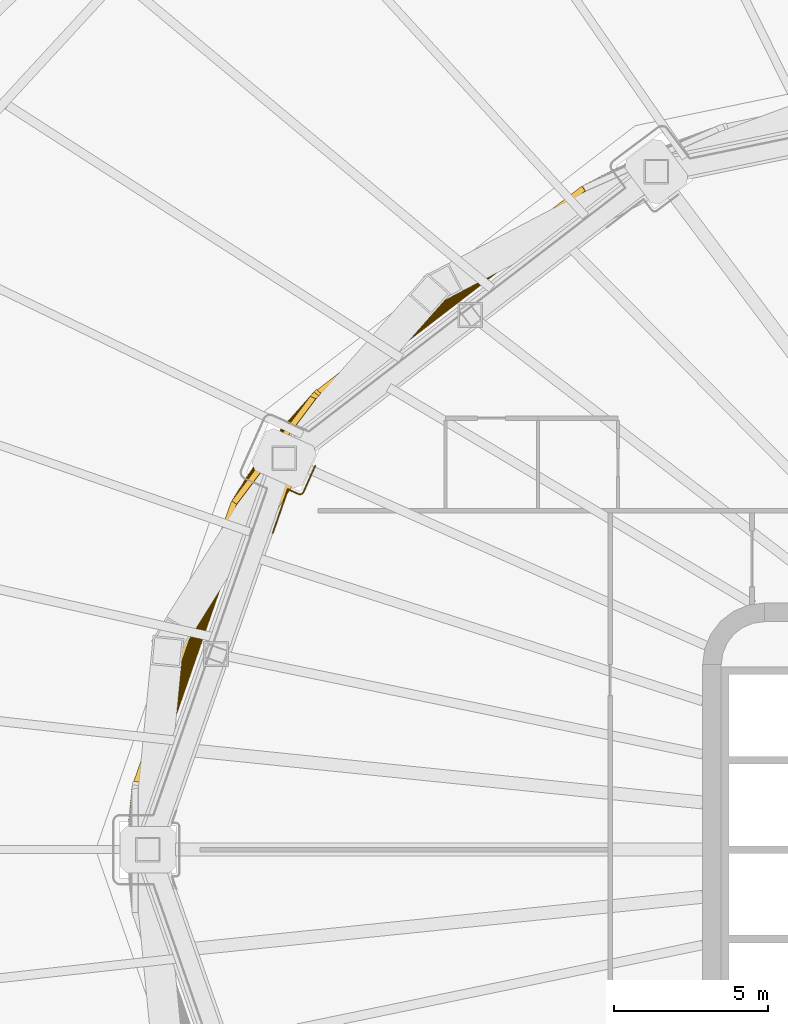
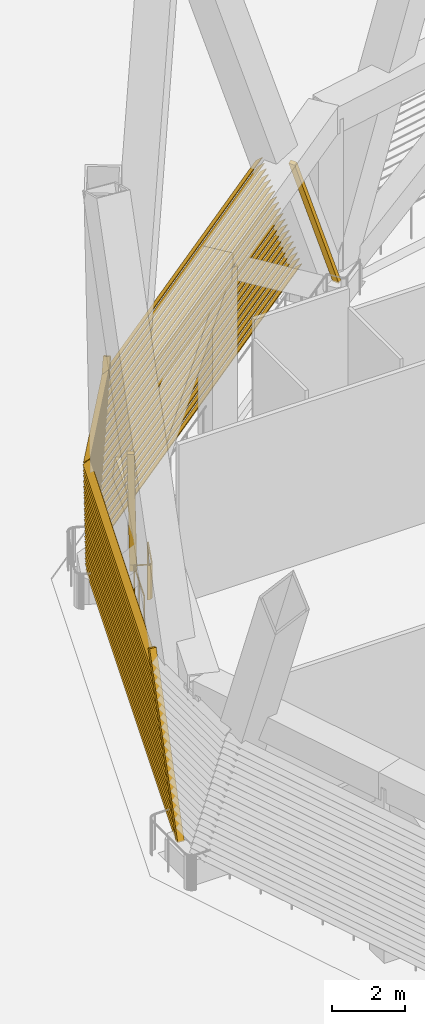
# One storey, part 19 of 27: 3 shading devices, 1 railing.
"""IFC4 building model written with IfcOpenShell, lengths in metres."""

from ifc_helpers import new_model, si_unit, direction, frame, origin, origin_2d, place, context, subcontext, project, spatial, rectangle, circle, extrude, material, type_object, element, save


model = new_model("IFC4")

# Units and contexts
model_context = context("Model", 3, precision=1e-05, world=origin(), true_north=direction((0.0, 1.0)))
body_context = subcontext(model_context, "Body", "Model", "MODEL_VIEW")
ifc_project = project(units=[si_unit("LENGTHUNIT", "METRE"), si_unit("AREAUNIT", "SQUARE_METRE"), si_unit("VOLUMEUNIT", "CUBIC_METRE"), si_unit("PLANEANGLEUNIT", "RADIAN"), si_unit("MASSUNIT", "GRAM", prefix="KILO")], contexts=[model_context])

# Site, building, storey
site_placement = place(None, origin())
site = spatial("IfcSite", under=ifc_project, at=site_placement, CompositionType="ELEMENT")
building_placement = place(site_placement, origin())
building = spatial("IfcBuilding", under=site, at=building_placement, Name="Sahrelin Media Tower", CompositionType="ELEMENT")
storey_placement = place(building_placement, frame((0.0, 0.0, 44.0)))
storey = spatial("IfcBuildingStorey", under=building, at=storey_placement, Name="L06", CompositionType="ELEMENT", Elevation=44.0)

# Railing
ifc_material_1 = material(Name="Stainless steel 316", Category="steel")
railing_type = type_object("IfcRailingType", Name="Maintenance platform guard", PredefinedType="GUARDRAIL", material=ifc_material_1)
railing_placement = place(storey_placement, frame((-28.9462890625, 10.275634765625, 0.0)))
element("IfcRailing", 1, at=railing_placement, inside=storey, type_object=railing_type, Name="Plant level edge guard 6", PredefinedType="GUARDRAIL", context=body_context, shape_type="SweptSolid", body=[
    extrude(circle(Radius=0.02392578125, at=origin_2d()), frame((0.0, 0.0, 1.17578125), z_axis=(0.328798392756, 0.944400136024, 0.0), x_axis=(-0.944400136024, 0.328798392756, 0.0)), (0.0, 0.0, 1.0), 1.5),
    extrude(circle(Radius=0.02392578125, at=origin_2d()), frame((0.4931640625, 1.41650390625, 1.17578125), z_axis=(0.913891374695, -0.405958809805, 0.0), x_axis=(0.405958809805, 0.913891374695, 0.0)), (0.0, 0.0, 1.0), 0.378173828125),
    extrude(circle(Radius=0.02392578125, at=origin_2d()), frame((0.8388671875, 1.262939453125, 1.17578125), z_axis=(0.934997526318, -0.354654234121, 0.0), x_axis=(0.354654234121, 0.934997526318, 0.0)), (0.0, 0.0, 1.0), 0.007568359375),
    extrude(circle(Radius=0.02392578125, at=origin_2d()), frame((0.845947265625, 1.26025390625, 1.17578125), z_axis=(0.950605456491, -0.310401781711, 0.0), x_axis=(0.310401781711, 0.950605456491, 0.0)), (0.0, 0.0, 1.0), 0.0126953125),
    extrude(circle(Radius=0.02392578125, at=origin_2d()), frame((0.85791015625, 1.25634765625, 1.17578125), z_axis=(0.987440631917, -0.157990501107, 0.0), x_axis=(0.157990501107, 0.987440631917, 0.0)), (0.0, 0.0, 1.0), 0.012451171875),
    extrude(circle(Radius=0.02392578125, at=origin_2d()), frame((0.8701171875, 1.25439453125, 1.17578125), z_axis=(0.99522852512, -0.097571424031, 0.0), x_axis=(0.097571424031, 0.99522852512, 0.0)), (0.0, 0.0, 1.0), 0.012451171875),
    extrude(circle(Radius=0.02392578125, at=origin_2d()), frame((0.882568359375, 1.253173828125, 1.17578125), z_axis=(0.998052578483, 0.062378286155, 0.0), x_axis=(-0.062378286155, 0.998052578483, 0.0)), (0.0, 0.0, 1.0), 0.01171875),
    extrude(circle(Radius=0.02392578125, at=origin_2d()), frame((0.894287109375, 1.25390625, 1.17578125), z_axis=(0.99503719021, 0.099503719021, 0.0), x_axis=(-0.099503719021, 0.99503719021, 0.0)), (0.0, 0.0, 1.0), 0.01220703125),
    extrude(circle(Radius=0.02392578125, at=origin_2d()), frame((0.906494140625, 1.255126953125, 1.17578125), z_axis=(0.971297311632, 0.237868729379, 0.0), x_axis=(-0.237868729379, 0.971297311632, 0.0)), (0.0, 0.0, 1.0), 0.01220703125),
    extrude(circle(Radius=0.02392578125, at=origin_2d()), frame((0.91845703125, 1.258056640625, 1.17578125), z_axis=(0.948683298051, 0.316227766017, 0.0), x_axis=(-0.316227766017, 0.948683298051, 0.0)), (0.0, 0.0, 1.0), 0.010009765625),
    extrude(circle(Radius=0.02392578125, at=origin_2d()), frame((0.927978515625, 1.26123046875, 1.17578125), z_axis=(0.919145030018, 0.393919298579, 0.0), x_axis=(-0.393919298579, 0.919145030018, 0.0)), (0.0, 0.0, 1.0), 0.01123046875),
    extrude(circle(Radius=0.02392578125, at=origin_2d()), frame((0.938232421875, 1.265625, 1.17578125), z_axis=(0.875034042418, 0.484061385167, 0.0), x_axis=(-0.484061385167, 0.875034042418, 0.0)), (0.0, 0.0, 1.0), 0.01318359375),
    extrude(circle(Radius=0.02392578125, at=origin_2d()), frame((0.94970703125, 1.27197265625, 1.17578125), z_axis=(0.815180408266, 0.579207132189, 0.0), x_axis=(-0.579207132189, 0.815180408266, 0.0)), (0.0, 0.0, 1.0), 0.011474609375),
    extrude(circle(Radius=0.02392578125, at=origin_2d()), frame((0.958984375, 1.278564453125, 1.17578125), z_axis=(0.77137327854, 0.636382954796, 0.0), x_axis=(-0.636382954796, 0.77137327854, 0.0)), (0.0, 0.0, 1.0), 0.0126953125),
    extrude(circle(Radius=0.02392578125, at=origin_2d()), frame((0.96875, 1.28662109375, 1.17578125), z_axis=(0.658504607869, 0.752576694707, 0.0), x_axis=(-0.752576694707, 0.658504607869, 0.0)), (0.0, 0.0, 1.0), 0.012939453125),
    extrude(circle(Radius=0.02392578125, at=origin_2d()), frame((0.977294921875, 1.29638671875, 1.17578125), z_axis=(0.621394711002, 0.78349767909, 0.0), x_axis=(-0.78349767909, 0.621394711002, 0.0)), (0.0, 0.0, 1.0), 0.009033203125),
    extrude(circle(Radius=0.02392578125, at=origin_2d()), frame((0.98291015625, 1.303466796875, 1.17578125), z_axis=(0.53966611472, 0.841879138964, 0.0), x_axis=(-0.841879138964, 0.53966611472, 0.0)), (0.0, 0.0, 1.0), 0.01123046875),
    extrude(circle(Radius=0.02392578125, at=origin_2d()), frame((0.989013671875, 1.31298828125, 1.17578125), z_axis=(0.466758619558, 0.884384752847, 0.0), x_axis=(-0.884384752847, 0.466758619558, 0.0)), (0.0, 0.0, 1.0), 0.010009765625),
    extrude(circle(Radius=0.02392578125, at=origin_2d()), frame((0.99365234375, 1.32177734375, 1.17578125), z_axis=(0.406283261409, 0.91374718139, 0.0), x_axis=(-0.91374718139, 0.406283261409, 0.0)), (0.0, 0.0, 1.0), 0.938720703125),
    extrude(circle(Radius=0.02099609375, at=origin_2d()), origin(), (0.0, 0.0, 1.0), 1.15185546875),
    extrude(circle(Radius=0.02099609375, at=origin_2d()), frame((0.24658203125, 0.708251953125, 0.0)), (0.0, 0.0, 1.0), 1.15185546875),
    extrude(circle(Radius=0.02099609375, at=origin_2d()), frame((0.4931640625, 1.41650390625, 0.0)), (0.0, 0.0, 1.0), 1.15185546875),
    extrude(circle(Radius=0.02099609375, at=origin_2d()), frame((0.8388671875, 1.262939453125, 0.0)), (0.0, 0.0, 1.0), 1.15185546875),
    extrude(circle(Radius=0.02099609375, at=origin_2d()), frame((0.845947265625, 1.26025390625, 0.0)), (0.0, 0.0, 1.0), 1.15185546875),
    extrude(circle(Radius=0.02099609375, at=origin_2d()), frame((0.85791015625, 1.25634765625, 0.0)), (0.0, 0.0, 1.0), 1.15185546875),
    extrude(circle(Radius=0.02099609375, at=origin_2d()), frame((0.8701171875, 1.25439453125, 0.0)), (0.0, 0.0, 1.0), 1.15185546875),
    extrude(circle(Radius=0.02099609375, at=origin_2d()), frame((0.882568359375, 1.253173828125, 0.0)), (0.0, 0.0, 1.0), 1.15185546875),
    extrude(circle(Radius=0.02099609375, at=origin_2d()), frame((0.894287109375, 1.25390625, 0.0)), (0.0, 0.0, 1.0), 1.15185546875),
    extrude(circle(Radius=0.02099609375, at=origin_2d()), frame((0.906494140625, 1.255126953125, 0.0)), (0.0, 0.0, 1.0), 1.15185546875),
    extrude(circle(Radius=0.02099609375, at=origin_2d()), frame((0.91845703125, 1.258056640625, 0.0)), (0.0, 0.0, 1.0), 1.15185546875),
    extrude(circle(Radius=0.02099609375, at=origin_2d()), frame((0.927978515625, 1.26123046875, 0.0)), (0.0, 0.0, 1.0), 1.15185546875),
    extrude(circle(Radius=0.02099609375, at=origin_2d()), frame((0.938232421875, 1.265625, 0.0)), (0.0, 0.0, 1.0), 1.15185546875),
    extrude(circle(Radius=0.02099609375, at=origin_2d()), frame((0.94970703125, 1.27197265625, 0.0)), (0.0, 0.0, 1.0), 1.15185546875),
    extrude(circle(Radius=0.02099609375, at=origin_2d()), frame((0.958984375, 1.278564453125, 0.0)), (0.0, 0.0, 1.0), 1.15185546875),
    extrude(circle(Radius=0.02099609375, at=origin_2d()), frame((0.96875, 1.28662109375, 0.0)), (0.0, 0.0, 1.0), 1.15185546875),
    extrude(circle(Radius=0.02099609375, at=origin_2d()), frame((0.977294921875, 1.29638671875, 0.0)), (0.0, 0.0, 1.0), 1.15185546875),
    extrude(circle(Radius=0.02099609375, at=origin_2d()), frame((0.98291015625, 1.303466796875, 0.0)), (0.0, 0.0, 1.0), 1.15185546875),
    extrude(circle(Radius=0.02099609375, at=origin_2d()), frame((0.989013671875, 1.31298828125, 0.0)), (0.0, 0.0, 1.0), 1.15185546875),
    extrude(circle(Radius=0.02099609375, at=origin_2d()), frame((0.99365234375, 1.32177734375, 0.0)), (0.0, 0.0, 1.0), 1.15185546875),
    extrude(circle(Radius=0.02099609375, at=origin_2d()), frame((1.375, 2.179443359375, 0.0)), (0.0, 0.0, 1.0), 1.15185546875),
])

# Shading devices
ifc_material_2 = material(Name="Champagne anodised aluminium 6063-T6", Category="aluminium")
shading_device_type = type_object("IfcShadingDeviceType", Name="Sand-rejection louvre band", PredefinedType="USERDEFINED", material=ifc_material_2)
shading_device_1_placement = place(storey_placement, frame((-22.594482421875, 17.30615234375, 0.0), z_axis=(0.0, 0.0, 1.0), x_axis=(0.792449224512, 0.609937887469, 0.0)))
element("IfcShadingDevice", 2, at=shading_device_1_placement, inside=storey, type_object=shading_device_type, Name="L06:LOUVRE:L06-09", ObjectType="LOUVRE", PredefinedType="USERDEFINED", context=body_context, shape_type="SweptSolid", body=[
    extrude(rectangle(XDim=0.199951171875, YDim=0.1201171875, at=origin_2d()), frame((7.314208984375, -0.54345703125, 0.64990234375), z_axis=(-0.386774227408, 0.067421693416, 0.919706481585), x_axis=(-0.171728349686, -0.985144341665, 0.0)), (0.0, 0.0, 1.0), 5.76123046875),
    extrude(rectangle(XDim=0.199951171875, YDim=0.1201171875, at=origin_2d()), frame((-7.4169921875, 0.636962890625, 0.64990234375), z_axis=(0.355807971483, 0.068327155417, 0.932057984925), x_axis=(-0.188587998266, 0.982056295184, 0.0)), (0.0, 0.0, 1.0), 5.684814453125),
    extrude(rectangle(XDim=0.25, YDim=0.02001953125, at=origin_2d()), frame((7.479736328125, 0.655029296875, 0.75), z_axis=(-1.0, 0.0, 0.0), x_axis=(0.0, -0.766044443119, 0.642787609687)), (0.0, 0.0, 1.0), 14.860595703125),
    extrude(rectangle(XDim=0.25, YDim=0.02001953125, at=origin_2d()), frame((7.37451171875, 0.67333984375, 1.0), z_axis=(-1.0, 0.0, 0.0), x_axis=(0.0, -0.766044443119, 0.642787609687)), (0.0, 0.0, 1.0), 14.659912109375),
    extrude(rectangle(XDim=0.25, YDim=0.02001953125, at=origin_2d()), frame((7.26953125, 0.691650390625, 1.25), z_axis=(-1.0, 0.0, 0.0), x_axis=(0.0, -0.766044443119, 0.642787609687)), (0.0, 0.0, 1.0), 14.45947265625),
    extrude(rectangle(XDim=0.25, YDim=0.02001953125, at=origin_2d()), frame((7.164306640625, 0.7099609375, 1.5), z_axis=(-1.0, 0.0, 0.0), x_axis=(0.0, -0.766044443119, 0.642787609687)), (0.0, 0.0, 1.0), 14.2587890625),
    extrude(rectangle(XDim=0.25, YDim=0.02001953125, at=origin_2d()), frame((7.05908203125, 0.728271484375, 1.75), z_axis=(-1.0, 0.0, 0.0), x_axis=(0.0, -0.766044443119, 0.642787609687)), (0.0, 0.0, 1.0), 14.05810546875),
    extrude(rectangle(XDim=0.25, YDim=0.02001953125, at=origin_2d()), frame((6.9541015625, 0.74658203125, 2.0), z_axis=(-1.0, 0.0, 0.0), x_axis=(0.0, -0.766044443119, 0.642787609687)), (0.0, 0.0, 1.0), 13.85791015625),
    extrude(rectangle(XDim=0.25, YDim=0.02001953125, at=origin_2d()), frame((6.84912109375, 0.764892578125, 2.25), z_axis=(-1.0, 0.0, 0.0), x_axis=(0.0, -0.766044443119, 0.642787609687)), (0.0, 0.0, 1.0), 13.657470703125),
    extrude(rectangle(XDim=0.25, YDim=0.02001953125, at=origin_2d()), frame((6.743896484375, 0.783203125, 2.5), z_axis=(-1.0, 0.0, 0.0), x_axis=(0.0, -0.766044443119, 0.642787609687)), (0.0, 0.0, 1.0), 13.456787109375),
    extrude(rectangle(XDim=0.25, YDim=0.02001953125, at=origin_2d()), frame((6.638671875, 0.801513671875, 2.75), z_axis=(-1.0, 0.0, 0.0), x_axis=(0.0, -0.766044443119, 0.642787609687)), (0.0, 0.0, 1.0), 13.256103515625),
    extrude(rectangle(XDim=0.25, YDim=0.02001953125, at=origin_2d()), frame((6.53369140625, 0.820068359375, 3.0), z_axis=(-1.0, 0.0, 0.0), x_axis=(0.0, -0.766044443119, 0.642787609687)), (0.0, 0.0, 1.0), 13.0556640625),
    extrude(rectangle(XDim=0.25, YDim=0.02001953125, at=origin_2d()), frame((6.428466796875, 0.83837890625, 3.25), z_axis=(-1.0, 0.0, 0.0), x_axis=(0.0, -0.766044443119, 0.642787609687)), (0.0, 0.0, 1.0), 12.85498046875),
    extrude(rectangle(XDim=0.25, YDim=0.02001953125, at=origin_2d()), frame((6.3232421875, 0.856689453125, 3.5), z_axis=(-1.0, 0.0, 0.0), x_axis=(0.0, -0.766044443119, 0.642787609687)), (0.0, 0.0, 1.0), 12.654296875),
    extrude(rectangle(XDim=0.25, YDim=0.02001953125, at=origin_2d()), frame((6.21826171875, 0.875, 3.75), z_axis=(-1.0, 0.0, 0.0), x_axis=(0.0, -0.766044443119, 0.642787609687)), (0.0, 0.0, 1.0), 12.453857421875),
    extrude(rectangle(XDim=0.25, YDim=0.02001953125, at=origin_2d()), frame((6.113037109375, 0.893310546875, 4.0), z_axis=(-1.0, 0.0, 0.0), x_axis=(0.0, -0.766044443119, 0.642787609687)), (0.0, 0.0, 1.0), 12.25341796875),
    extrude(rectangle(XDim=0.25, YDim=0.02001953125, at=origin_2d()), frame((6.0078125, 0.91162109375, 4.25), z_axis=(-1.0, 0.0, 0.0), x_axis=(0.0, -0.766044443119, 0.642787609687)), (0.0, 0.0, 1.0), 12.052734375),
    extrude(rectangle(XDim=0.25, YDim=0.02001953125, at=origin_2d()), frame((5.90283203125, 0.929931640625, 4.5), z_axis=(-1.0, 0.0, 0.0), x_axis=(0.0, -0.766044443119, 0.642787609687)), (0.0, 0.0, 1.0), 11.852294921875),
    extrude(rectangle(XDim=0.25, YDim=0.02001953125, at=origin_2d()), frame((5.797607421875, 0.9482421875, 4.75), z_axis=(-1.0, 0.0, 0.0), x_axis=(0.0, -0.766044443119, 0.642787609687)), (0.0, 0.0, 1.0), 11.651611328125),
    extrude(rectangle(XDim=0.25, YDim=0.02001953125, at=origin_2d()), frame((5.6923828125, 0.966552734375, 5.0), z_axis=(-1.0, 0.0, 0.0), x_axis=(0.0, -0.766044443119, 0.642787609687)), (0.0, 0.0, 1.0), 11.450927734375),
    extrude(rectangle(XDim=0.25, YDim=0.02001953125, at=origin_2d()), frame((5.58740234375, 0.98486328125, 5.25), z_axis=(-1.0, 0.0, 0.0), x_axis=(0.0, -0.766044443119, 0.642787609687)), (0.0, 0.0, 1.0), 11.25048828125),
    extrude(rectangle(XDim=0.25, YDim=0.02001953125, at=origin_2d()), frame((5.482421875, 1.003173828125, 5.5), z_axis=(-1.0, 0.0, 0.0), x_axis=(0.0, -0.766044443119, 0.642787609687)), (0.0, 0.0, 1.0), 11.050048828125),
])
shading_device_2_placement = place(storey_placement, frame((-28.564453125, 12.71923828125, 0.0), z_axis=(0.0, 0.0, 1.0), x_axis=(0.6, 0.8, 0.0)))
element("IfcShadingDevice", 3, at=shading_device_2_placement, inside=storey, type_object=shading_device_type, Name="L06:LOUVRE:L06-10", ObjectType="LOUVRE", PredefinedType="USERDEFINED", context=body_context, shape_type="SweptSolid", body=[
    extrude(rectangle(XDim=0.199951171875, YDim=0.1201171875, at=origin_2d()), frame((0.392822265625, 0.56787109375, 0.949951171875), z_axis=(0.361058414032, -0.029454645553, 0.932077918155), x_axis=(0.081308507287, 0.996688981901, 0.0)), (0.0, 0.0, 1.0), 5.36279296875),
    extrude(rectangle(XDim=0.199951171875, YDim=0.1201171875, at=origin_2d()), frame((-0.32763671875, -0.6279296875, 0.949951171875), z_axis=(-0.349214416469, -0.029596768071, 0.936575316058), x_axis=(0.084449666223, -0.99642774644, 0.0)), (0.0, 0.0, 1.0), 5.3369140625),
    extrude(rectangle(XDim=0.25, YDim=0.02001953125, at=origin_2d()), frame((0.431640625, 0.56689453125, 1.050048828125), z_axis=(-1.0, 0.0, 0.0), x_axis=(0.0, -0.766044443119, 0.642787609687)), (0.0, 0.0, 1.0), 0.898193359375),
    extrude(rectangle(XDim=0.25, YDim=0.02001953125, at=origin_2d()), frame((0.528564453125, 0.558837890625, 1.300048828125), z_axis=(-1.0, 0.0, 0.0), x_axis=(0.0, -0.766044443119, 0.642787609687)), (0.0, 0.0, 1.0), 1.08837890625),
    extrude(rectangle(XDim=0.25, YDim=0.02001953125, at=origin_2d()), frame((0.62548828125, 0.551025390625, 1.550048828125), z_axis=(-1.0, 0.0, 0.0), x_axis=(0.0, -0.766044443119, 0.642787609687)), (0.0, 0.0, 1.0), 1.278564453125),
    extrude(rectangle(XDim=0.25, YDim=0.02001953125, at=origin_2d()), frame((0.72216796875, 0.543212890625, 1.800048828125), z_axis=(-1.0, 0.0, 0.0), x_axis=(0.0, -0.766044443119, 0.642787609687)), (0.0, 0.0, 1.0), 1.46826171875),
    extrude(rectangle(XDim=0.25, YDim=0.02001953125, at=origin_2d()), frame((0.819091796875, 0.53515625, 2.050048828125), z_axis=(-1.0, 0.0, 0.0), x_axis=(0.0, -0.766044443119, 0.642787609687)), (0.0, 0.0, 1.0), 1.658447265625),
    extrude(rectangle(XDim=0.25, YDim=0.02001953125, at=origin_2d()), frame((0.916015625, 0.527099609375, 2.300048828125), z_axis=(-1.0, 0.0, 0.0), x_axis=(0.0, -0.766044443119, 0.642787609687)), (0.0, 0.0, 1.0), 1.8486328125),
    extrude(rectangle(XDim=0.25, YDim=0.02001953125, at=origin_2d()), frame((1.0126953125, 0.519287109375, 2.550048828125), z_axis=(-1.0, 0.0, 0.0), x_axis=(0.0, -0.766044443119, 0.642787609687)), (0.0, 0.0, 1.0), 2.03857421875),
    extrude(rectangle(XDim=0.25, YDim=0.02001953125, at=origin_2d()), frame((1.109619140625, 0.511474609375, 2.800048828125), z_axis=(-1.0, 0.0, 0.0), x_axis=(0.0, -0.766044443119, 0.642787609687)), (0.0, 0.0, 1.0), 2.228759765625),
    extrude(rectangle(XDim=0.25, YDim=0.02001953125, at=origin_2d()), frame((1.20654296875, 0.50341796875, 3.050048828125), z_axis=(-1.0, 0.0, 0.0), x_axis=(0.0, -0.766044443119, 0.642787609687)), (0.0, 0.0, 1.0), 2.4189453125),
    extrude(rectangle(XDim=0.25, YDim=0.02001953125, at=origin_2d()), frame((1.30322265625, 0.49560546875, 3.300048828125), z_axis=(-1.0, 0.0, 0.0), x_axis=(0.0, -0.766044443119, 0.642787609687)), (0.0, 0.0, 1.0), 2.608642578125),
    extrude(rectangle(XDim=0.25, YDim=0.02001953125, at=origin_2d()), frame((1.400146484375, 0.48779296875, 3.550048828125), z_axis=(-1.0, 0.0, 0.0), x_axis=(0.0, -0.766044443119, 0.642787609687)), (0.0, 0.0, 1.0), 2.798828125),
    extrude(rectangle(XDim=0.25, YDim=0.02001953125, at=origin_2d()), frame((1.4970703125, 0.479736328125, 3.800048828125), z_axis=(-1.0, 0.0, 0.0), x_axis=(0.0, -0.766044443119, 0.642787609687)), (0.0, 0.0, 1.0), 2.989013671875),
    extrude(rectangle(XDim=0.25, YDim=0.02001953125, at=origin_2d()), frame((1.593994140625, 0.471923828125, 4.050048828125), z_axis=(-1.0, 0.0, 0.0), x_axis=(0.0, -0.766044443119, 0.642787609687)), (0.0, 0.0, 1.0), 3.17919921875),
    extrude(rectangle(XDim=0.25, YDim=0.02001953125, at=origin_2d()), frame((1.690673828125, 0.464111328125, 4.300048828125), z_axis=(-1.0, 0.0, 0.0), x_axis=(0.0, -0.766044443119, 0.642787609687)), (0.0, 0.0, 1.0), 3.369140625),
    extrude(rectangle(XDim=0.25, YDim=0.02001953125, at=origin_2d()), frame((1.78759765625, 0.4560546875, 4.550048828125), z_axis=(-1.0, 0.0, 0.0), x_axis=(0.0, -0.766044443119, 0.642787609687)), (0.0, 0.0, 1.0), 3.55908203125),
    extrude(rectangle(XDim=0.25, YDim=0.02001953125, at=origin_2d()), frame((1.884521484375, 0.447998046875, 4.800048828125), z_axis=(-1.0, 0.0, 0.0), x_axis=(0.0, -0.766044443119, 0.642787609687)), (0.0, 0.0, 1.0), 3.749267578125),
    extrude(rectangle(XDim=0.25, YDim=0.02001953125, at=origin_2d()), frame((1.981201171875, 0.440185546875, 5.050048828125), z_axis=(-1.0, 0.0, 0.0), x_axis=(0.0, -0.766044443119, 0.642787609687)), (0.0, 0.0, 1.0), 3.939208984375),
    extrude(rectangle(XDim=0.25, YDim=0.02001953125, at=origin_2d()), frame((2.078125, 0.432373046875, 5.300048828125), z_axis=(-1.0, 0.0, 0.0), x_axis=(0.0, -0.766044443119, 0.642787609687)), (0.0, 0.0, 1.0), 4.12939453125),
    extrude(rectangle(XDim=0.25, YDim=0.02001953125, at=origin_2d()), frame((2.175048828125, 0.42431640625, 5.550048828125), z_axis=(-1.0, 0.0, 0.0), x_axis=(0.0, -0.766044443119, 0.642787609687)), (0.0, 0.0, 1.0), 4.319580078125),
])
shading_device_3_placement = place(storey_placement, frame((-30.802734375, 6.3115234375, 0.0), z_axis=(0.0, 0.0, 1.0), x_axis=(0.32879986848, 0.94439962224, 0.0)))
element("IfcShadingDevice", 4, at=shading_device_3_placement, inside=storey, type_object=shading_device_type, Name="L06:LOUVRE:L06-11", ObjectType="LOUVRE", PredefinedType="USERDEFINED", context=body_context, shape_type="SweptSolid", body=[
    extrude(rectangle(XDim=0.199951171875, YDim=0.1201171875, at=origin_2d()), frame((6.39404296875, -0.531005859375, 0.64990234375), z_axis=(-0.341735935027, 0.077806527447, 0.936569642364), x_axis=(-0.22199893607, -0.975046907786, 0.0)), (0.0, 0.0, 1.0), 5.657470703125),
    extrude(rectangle(XDim=0.199951171875, YDim=0.1201171875, at=origin_2d()), frame((-6.6015625, 0.63720703125, 0.64990234375), z_axis=(0.323365275032, 0.078342863596, 0.94302560656), x_axis=(-0.235461726811, 0.971883622255, 0.0)), (0.0, 0.0, 1.0), 5.61865234375),
    extrude(rectangle(XDim=0.25, YDim=0.02001953125, at=origin_2d()), frame((6.62744140625, 0.662353515625, 0.75), z_axis=(-1.0, 0.0, 0.0), x_axis=(0.0, -0.766044443119, 0.642787609687)), (0.0, 0.0, 1.0), 13.19873046875),
    extrude(rectangle(XDim=0.25, YDim=0.02001953125, at=origin_2d()), frame((6.5361328125, 0.68310546875, 1.0), z_axis=(-1.0, 0.0, 0.0), x_axis=(0.0, -0.766044443119, 0.642787609687)), (0.0, 0.0, 1.0), 13.021728515625),
    extrude(rectangle(XDim=0.25, YDim=0.02001953125, at=origin_2d()), frame((6.445068359375, 0.703857421875, 1.25), z_axis=(-1.0, 0.0, 0.0), x_axis=(0.0, -0.766044443119, 0.642787609687)), (0.0, 0.0, 1.0), 12.844970703125),
    extrude(rectangle(XDim=0.25, YDim=0.02001953125, at=origin_2d()), frame((6.353759765625, 0.724609375, 1.5), z_axis=(-1.0, 0.0, 0.0), x_axis=(0.0, -0.766044443119, 0.642787609687)), (0.0, 0.0, 1.0), 12.66796875),
    extrude(rectangle(XDim=0.25, YDim=0.02001953125, at=origin_2d()), frame((6.2626953125, 0.745361328125, 1.75), z_axis=(-1.0, 0.0, 0.0), x_axis=(0.0, -0.766044443119, 0.642787609687)), (0.0, 0.0, 1.0), 12.4912109375),
    extrude(rectangle(XDim=0.25, YDim=0.02001953125, at=origin_2d()), frame((6.17138671875, 0.76611328125, 2.0), z_axis=(-1.0, 0.0, 0.0), x_axis=(0.0, -0.766044443119, 0.642787609687)), (0.0, 0.0, 1.0), 12.314208984375),
    extrude(rectangle(XDim=0.25, YDim=0.02001953125, at=origin_2d()), frame((6.080078125, 0.787109375, 2.25), z_axis=(-1.0, 0.0, 0.0), x_axis=(0.0, -0.766044443119, 0.642787609687)), (0.0, 0.0, 1.0), 12.136962890625),
    extrude(rectangle(XDim=0.25, YDim=0.02001953125, at=origin_2d()), frame((5.989013671875, 0.8076171875, 2.5), z_axis=(-1.0, 0.0, 0.0), x_axis=(0.0, -0.766044443119, 0.642787609687)), (0.0, 0.0, 1.0), 11.960205078125),
    extrude(rectangle(XDim=0.25, YDim=0.02001953125, at=origin_2d()), frame((5.897705078125, 0.82861328125, 2.75), z_axis=(-1.0, 0.0, 0.0), x_axis=(0.0, -0.766044443119, 0.642787609687)), (0.0, 0.0, 1.0), 11.783203125),
    extrude(rectangle(XDim=0.25, YDim=0.02001953125, at=origin_2d()), frame((5.806396484375, 0.849365234375, 3.0), z_axis=(-1.0, 0.0, 0.0), x_axis=(0.0, -0.766044443119, 0.642787609687)), (0.0, 0.0, 1.0), 11.606201171875),
    extrude(rectangle(XDim=0.25, YDim=0.02001953125, at=origin_2d()), frame((5.715087890625, 0.8701171875, 3.25), z_axis=(-1.0, 0.0, 0.0), x_axis=(0.0, -0.766044443119, 0.642787609687)), (0.0, 0.0, 1.0), 11.42919921875),
    extrude(rectangle(XDim=0.25, YDim=0.02001953125, at=origin_2d()), frame((5.6240234375, 0.890869140625, 3.5), z_axis=(-1.0, 0.0, 0.0), x_axis=(0.0, -0.766044443119, 0.642787609687)), (0.0, 0.0, 1.0), 11.25244140625),
    extrude(rectangle(XDim=0.25, YDim=0.02001953125, at=origin_2d()), frame((5.53271484375, 0.91162109375, 3.75), z_axis=(-1.0, 0.0, 0.0), x_axis=(0.0, -0.766044443119, 0.642787609687)), (0.0, 0.0, 1.0), 11.075439453125),
    extrude(rectangle(XDim=0.25, YDim=0.02001953125, at=origin_2d()), frame((5.441650390625, 0.932373046875, 4.0), z_axis=(-1.0, 0.0, 0.0), x_axis=(0.0, -0.766044443119, 0.642787609687)), (0.0, 0.0, 1.0), 10.898681640625),
    extrude(rectangle(XDim=0.25, YDim=0.02001953125, at=origin_2d()), frame((5.350341796875, 0.953125, 4.25), z_axis=(-1.0, 0.0, 0.0), x_axis=(0.0, -0.766044443119, 0.642787609687)), (0.0, 0.0, 1.0), 10.7216796875),
    extrude(rectangle(XDim=0.25, YDim=0.02001953125, at=origin_2d()), frame((5.259033203125, 0.973876953125, 4.5), z_axis=(-1.0, 0.0, 0.0), x_axis=(0.0, -0.766044443119, 0.642787609687)), (0.0, 0.0, 1.0), 10.54443359375),
    extrude(rectangle(XDim=0.25, YDim=0.02001953125, at=origin_2d()), frame((5.16796875, 0.99462890625, 4.75), z_axis=(-1.0, 0.0, 0.0), x_axis=(0.0, -0.766044443119, 0.642787609687)), (0.0, 0.0, 1.0), 10.36767578125),
    extrude(rectangle(XDim=0.25, YDim=0.02001953125, at=origin_2d()), frame((5.07666015625, 1.015380859375, 5.0), z_axis=(-1.0, 0.0, 0.0), x_axis=(0.0, -0.766044443119, 0.642787609687)), (0.0, 0.0, 1.0), 10.190673828125),
    extrude(rectangle(XDim=0.25, YDim=0.02001953125, at=origin_2d()), frame((4.985595703125, 1.036376953125, 5.25), z_axis=(-1.0, 0.0, 0.0), x_axis=(0.0, -0.766044443119, 0.642787609687)), (0.0, 0.0, 1.0), 10.013916015625),
    extrude(rectangle(XDim=0.25, YDim=0.02001953125, at=origin_2d()), frame((4.894287109375, 1.056884765625, 5.5), z_axis=(-1.0, 0.0, 0.0), x_axis=(0.0, -0.766044443119, 0.642787609687)), (0.0, 0.0, 1.0), 9.8369140625),
])

save(model, "model.ifc")
